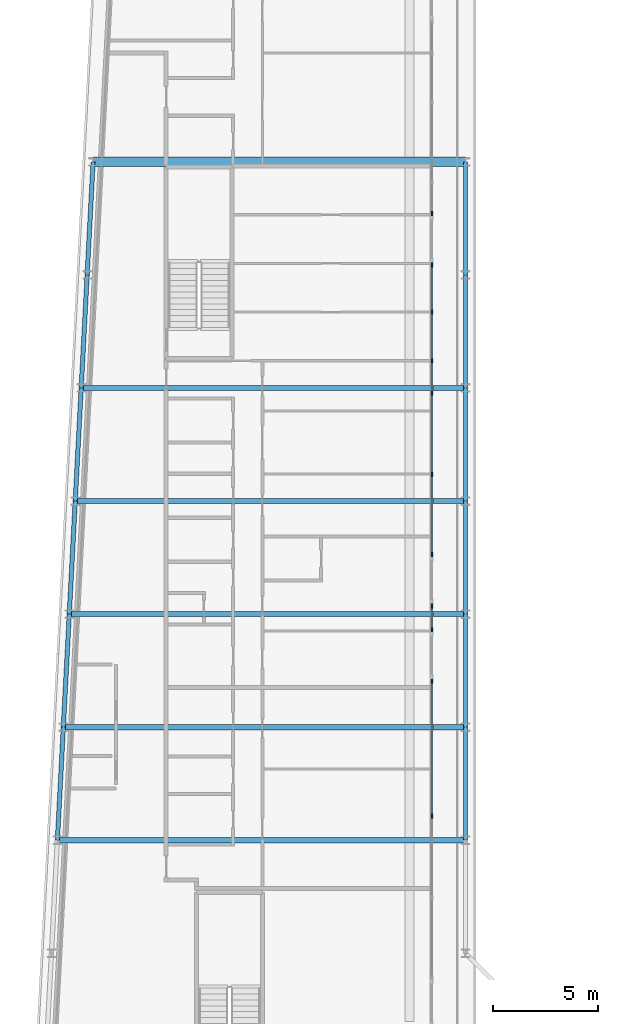
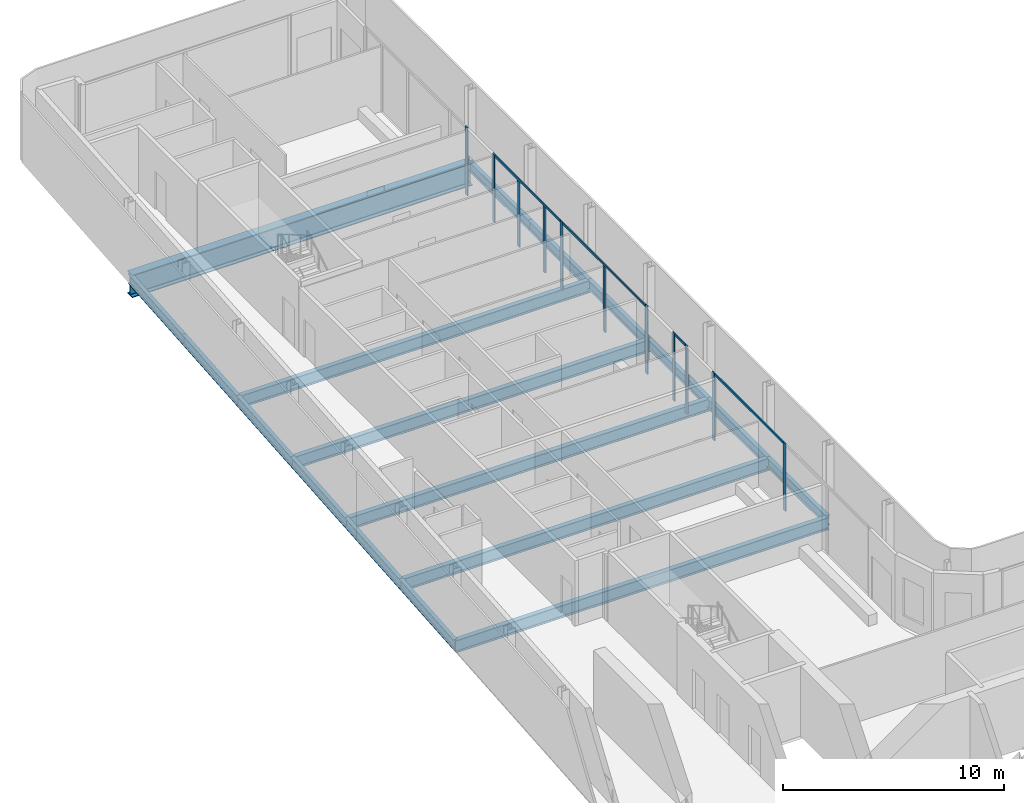
# One storey, part 7 of 22: 18 beams, 15 members, 5 elements without a shape of their own.
"""IFC4 building model written with IfcOpenShell, lengths in metres."""

from ifc_helpers import new_model, si_unit, direction, frame, origin, origin_2d, place, context, subcontext, project, spatial, rectangle, i_section, extrude, material, layer, layer_set, material_profile, profile_set, type_object, element, aggregate, save


model = new_model("IFC4")

# Units and contexts
model_context = context("Model", 3, precision=1e-05, world=origin(), true_north=direction((0.0, 1.0)))
body_context = subcontext(model_context, "Body", "Model", "MODEL_VIEW")
ifc_project = project(units=[si_unit("LENGTHUNIT", "METRE"), si_unit("AREAUNIT", "SQUARE_METRE"), si_unit("VOLUMEUNIT", "CUBIC_METRE"), si_unit("PLANEANGLEUNIT", "RADIAN"), si_unit("MASSUNIT", "GRAM", prefix="KILO")], contexts=[model_context])

# Site, building, storey
site_placement = place(None, origin())
site = spatial("IfcSite", under=ifc_project, at=site_placement, CompositionType="ELEMENT")
building_placement = place(site_placement, origin())
building = spatial("IfcBuilding", under=site, at=building_placement, Name="Kheshtan School and Residences Tower", CompositionType="ELEMENT")
storey_placement = place(building_placement, frame((0.0, 0.0, 274.699951171875)))
storey = spatial("IfcBuildingStorey", under=building, at=storey_placement, Name="L64", CompositionType="ELEMENT", Elevation=274.699951171875)

# Beams
ifc_material_1 = material(Name="Steel ASTM A992 Grade 50", Category="steel")
ifc_material_profile_1 = material_profile(ifc_material_1, i_section(OverallWidth=0.2529296875, OverallDepth=0.677978515625, WebThickness=0.01171875, FlangeThickness=0.016357421875, FilletRadius=0.0146484375, at=origin_2d()), Name="W690x125")
ifc_profile_set_1 = profile_set([ifc_material_profile_1], Name="Steel ASTM A992 Grade 50")
beam_type_1 = type_object("IfcBeamType", Name="Beam FB6 W690x125 ASTM A992 Grade 50", PredefinedType="BEAM", material=ifc_profile_set_1)
beam_1_placement = place(storey_placement, frame((47.60009765625, 78.0, -0.489013671875), z_axis=(-1.0, 0.0, 0.0), x_axis=(0.0, -1.0, 0.0)))
element("IfcBeam", 1, at=beam_1_placement, inside=storey, type_object=beam_type_1, Name="Floor beam C089", PredefinedType="BEAM", context=body_context, shape_type="SweptSolid", body=[
    extrude(i_section(OverallWidth=0.2529296875, OverallDepth=0.677978515625, WebThickness=0.01171875, FlangeThickness=0.016357421875, FilletRadius=0.0146484375, at=origin_2d()), origin(), (0.0, 0.0, 1.0), 18.357177734375),
])
beam_2_placement = place(storey_placement, frame((47.60009765625, 67.199951171875, -0.489013671875), z_axis=(-1.0, 0.0, 0.0), x_axis=(0.0, -1.0, 0.0)))
element("IfcBeam", 2, at=beam_2_placement, inside=storey, type_object=beam_type_1, Name="Floor beam C085", PredefinedType="BEAM", context=body_context, shape_type="SweptSolid", body=[
    extrude(i_section(OverallWidth=0.2529296875, OverallDepth=0.677978515625, WebThickness=0.01171875, FlangeThickness=0.016357421875, FilletRadius=0.0146484375, at=origin_2d()), origin(), (0.0, 0.0, 1.0), 18.926025390625),
])
beam_3_placement = place(storey_placement, frame((47.60009765625, 56.39990234375, -0.489013671875), z_axis=(-1.0, 0.0, 0.0), x_axis=(0.0, -1.0, 0.0)))
element("IfcBeam", 3, at=beam_3_placement, inside=storey, type_object=beam_type_1, Name="Floor beam C081", PredefinedType="BEAM", context=body_context, shape_type="SweptSolid", body=[
    extrude(i_section(OverallWidth=0.2529296875, OverallDepth=0.677978515625, WebThickness=0.01171875, FlangeThickness=0.016357421875, FilletRadius=0.0146484375, at=origin_2d()), origin(), (0.0, 0.0, 1.0), 19.494140625),
])
beam_4_placement = place(storey_placement, frame((28.389892578125, 61.800048828125, -0.489013671875), z_axis=(1.0, 0.0, 0.0), x_axis=(0.0, 1.0, 0.0)))
element("IfcBeam", 4, at=beam_4_placement, inside=storey, type_object=beam_type_1, Name="Floor beam C082", PredefinedType="BEAM", context=body_context, shape_type="SweptSolid", body=[
    extrude(i_section(OverallWidth=0.2529296875, OverallDepth=0.677978515625, WebThickness=0.01171875, FlangeThickness=0.016357421875, FilletRadius=0.0146484375, at=origin_2d()), origin(), (0.0, 0.0, 1.0), 19.210205078125),
])
beam_5_placement = place(storey_placement, frame((28.9580078125, 72.60009765625, -0.489013671875), z_axis=(1.0, 0.0, 0.0), x_axis=(0.0, 1.0, 0.0)))
element("IfcBeam", 5, at=beam_5_placement, inside=storey, type_object=beam_type_1, Name="Floor beam C086", PredefinedType="BEAM", context=body_context, shape_type="SweptSolid", body=[
    extrude(i_section(OverallWidth=0.2529296875, OverallDepth=0.677978515625, WebThickness=0.01171875, FlangeThickness=0.016357421875, FilletRadius=0.0146484375, at=origin_2d()), origin(), (0.0, 0.0, 1.0), 18.64208984375),
])
ifc_material_profile_2 = material_profile(ifc_material_1, i_section(OverallWidth=0.208984375, OverallDepth=0.532958984375, WebThickness=0.01025390625, FlangeThickness=0.015625, FilletRadius=0.013916015625, at=origin_2d()), Name="W530x92")
ifc_profile_set_2 = profile_set([ifc_material_profile_2], Name="Steel ASTM A992 Grade 50")
beam_type_2 = type_object("IfcBeamType", Name="Beam SP3 W530x92 ASTM A992 Grade 50", PredefinedType="BEAM", material=ifc_profile_set_2)
beam_6_placement = place(storey_placement, frame((47.60009765625, 88.800048828125, -0.41650390625), z_axis=(0.0, -1.0, 0.0), x_axis=(1.0, 0.0, 0.0)))
element("IfcBeam", 6, at=beam_6_placement, inside=storey, type_object=beam_type_2, Name="Spandrel beam C099-C091", PredefinedType="BEAM", context=body_context, shape_type="SweptSolid", body=[
    extrude(i_section(OverallWidth=0.208984375, OverallDepth=0.532958984375, WebThickness=0.01025390625, FlangeThickness=0.015625, FilletRadius=0.013916015625, at=origin_2d()), origin(), (0.0, 0.0, 1.0), 5.400146484375),
])
for number, where, z_axis, x_axis, name in (
    (7, (47.60009765625, 83.39990234375, -0.41650390625), (0.0, -1.0, 0.0), (1.0, 0.0, 0.0), "Spandrel beam C091-C089"),
    (8, (47.60009765625, 78.0, -0.41650390625), (0.0, -1.0, 0.0), (1.0, 0.0, 0.0), "Spandrel beam C089-C087"),
):
    element("IfcBeam", number, at=place(storey_placement, frame(where, z_axis=z_axis, x_axis=x_axis)), inside=storey, type_object=beam_type_2, Name=name, PredefinedType="BEAM", context=body_context, shape_type="SweptSolid", body=[
        extrude(i_section(OverallWidth=0.208984375, OverallDepth=0.532958984375, WebThickness=0.01025390625, FlangeThickness=0.015625, FilletRadius=0.013916015625, at=origin_2d()), origin(), (0.0, 0.0, 1.0), 5.39990234375),
    ])
beam_7_placement = place(storey_placement, frame((47.60009765625, 72.60009765625, -0.41650390625), z_axis=(0.0, -1.0, 0.0), x_axis=(1.0, 0.0, 0.0)))
element("IfcBeam", 9, at=beam_7_placement, inside=storey, type_object=beam_type_2, Name="Spandrel beam C087-C085", PredefinedType="BEAM", context=body_context, shape_type="SweptSolid", body=[
    extrude(i_section(OverallWidth=0.208984375, OverallDepth=0.532958984375, WebThickness=0.01025390625, FlangeThickness=0.015625, FilletRadius=0.013916015625, at=origin_2d()), origin(), (0.0, 0.0, 1.0), 5.400146484375),
])
beam_8_placement = place(storey_placement, frame((47.60009765625, 67.199951171875, -0.41650390625), z_axis=(0.0, -1.0, 0.0), x_axis=(1.0, 0.0, 0.0)))
element("IfcBeam", 10, at=beam_8_placement, inside=storey, type_object=beam_type_2, Name="Spandrel beam C085-C083", PredefinedType="BEAM", context=body_context, shape_type="SweptSolid", body=[
    extrude(i_section(OverallWidth=0.208984375, OverallDepth=0.532958984375, WebThickness=0.01025390625, FlangeThickness=0.015625, FilletRadius=0.013916015625, at=origin_2d()), origin(), (0.0, 0.0, 1.0), 5.39990234375),
])
beam_9_placement = place(storey_placement, frame((47.60009765625, 61.800048828125, -0.41650390625), z_axis=(0.0, -1.0, 0.0), x_axis=(1.0, 0.0, 0.0)))
element("IfcBeam", 11, at=beam_9_placement, inside=storey, type_object=beam_type_2, Name="Spandrel beam C083-C081", PredefinedType="BEAM", context=body_context, shape_type="SweptSolid", body=[
    extrude(i_section(OverallWidth=0.208984375, OverallDepth=0.532958984375, WebThickness=0.01025390625, FlangeThickness=0.015625, FilletRadius=0.013916015625, at=origin_2d()), origin(), (0.0, 0.0, 1.0), 5.400146484375),
])
beam_10_placement = place(storey_placement, frame((28.10595703125, 56.39990234375, -0.41650390625), z_axis=(0.05250670125, 0.998620571751, 0.0), x_axis=(-0.998620571751, 0.05250670125, 0.0)))
element("IfcBeam", 12, at=beam_10_placement, inside=storey, type_object=beam_type_2, Name="Spandrel beam C080-C082", PredefinedType="BEAM", context=body_context, shape_type="SweptSolid", body=[
    extrude(i_section(OverallWidth=0.208984375, OverallDepth=0.532958984375, WebThickness=0.01025390625, FlangeThickness=0.015625, FilletRadius=0.013916015625, at=origin_2d()), origin(), (0.0, 0.0, 1.0), 5.40771484375),
])
beam_11_placement = place(storey_placement, frame((28.389892578125, 61.800048828125, -0.41650390625), z_axis=(0.052554093665, 0.998618078766, 0.0), x_axis=(-0.998618078766, 0.052554093665, 0.0)))
element("IfcBeam", 13, at=beam_11_placement, inside=storey, type_object=beam_type_2, Name="Spandrel beam C082-C084", PredefinedType="BEAM", context=body_context, shape_type="SweptSolid", body=[
    extrude(i_section(OverallWidth=0.208984375, OverallDepth=0.532958984375, WebThickness=0.01025390625, FlangeThickness=0.015625, FilletRadius=0.013916015625, at=origin_2d()), origin(), (0.0, 0.0, 1.0), 5.407470703125),
])
beam_12_placement = place(storey_placement, frame((28.674072265625, 67.199951171875, -0.41650390625), z_axis=(0.05250670125, 0.998620571751, 0.0), x_axis=(-0.998620571751, 0.05250670125, 0.0)))
element("IfcBeam", 14, at=beam_12_placement, inside=storey, type_object=beam_type_2, Name="Spandrel beam C084-C086", PredefinedType="BEAM", context=body_context, shape_type="SweptSolid", body=[
    extrude(i_section(OverallWidth=0.208984375, OverallDepth=0.532958984375, WebThickness=0.01025390625, FlangeThickness=0.015625, FilletRadius=0.013916015625, at=origin_2d()), origin(), (0.0, 0.0, 1.0), 5.40771484375),
])
for number, where, z_axis, x_axis, name in (
    (15, (28.9580078125, 72.60009765625, -0.41650390625), (0.052689166816, 0.998610961136, 0.0), (-0.998610961136, 0.052689166816, 0.0), "Spandrel beam C086-C088"),
    (16, (29.242919921875, 78.0, -0.41650390625), (0.052554093665, 0.998618078766, 0.0), (-0.998618078766, 0.052554093665, 0.0), "Spandrel beam C088-C090"),
):
    element("IfcBeam", number, at=place(storey_placement, frame(where, z_axis=z_axis, x_axis=x_axis)), inside=storey, type_object=beam_type_2, Name=name, PredefinedType="BEAM", context=body_context, shape_type="SweptSolid", body=[
        extrude(i_section(OverallWidth=0.208984375, OverallDepth=0.532958984375, WebThickness=0.01025390625, FlangeThickness=0.015625, FilletRadius=0.013916015625, at=origin_2d()), origin(), (0.0, 0.0, 1.0), 5.407470703125),
    ])
beam_13_placement = place(storey_placement, frame((29.527099609375, 83.39990234375, -0.41650390625), z_axis=(0.05250670125, 0.998620571751, 0.0), x_axis=(-0.998620571751, 0.05250670125, 0.0)))
element("IfcBeam", 17, at=beam_13_placement, inside=storey, type_object=beam_type_2, Name="Spandrel beam C090-C098", PredefinedType="BEAM", context=body_context, shape_type="SweptSolid", body=[
    extrude(i_section(OverallWidth=0.208984375, OverallDepth=0.532958984375, WebThickness=0.01025390625, FlangeThickness=0.015625, FilletRadius=0.013916015625, at=origin_2d()), origin(), (0.0, 0.0, 1.0), 5.40771484375),
])

# Curtain wall, member
ifc_material_2 = material(Name="Clear low-e glass in thermally broken aluminium frame", Category="aluminium")
ifc_layer = layer(ifc_material_2, 0.199951171875)
ifc_layer_set = layer_set([ifc_layer], Name="Curtain wall CW-L")
curtain_wall_type = type_object("IfcCurtainWallType", Name="Curtain wall CW-L", PredefinedType="NOTDEFINED", material=ifc_layer_set)
curtain_wall_1_placement = place(storey_placement, origin())
curtain_wall_1 = element("IfcCurtainWall", 18, at=curtain_wall_1_placement, inside=storey, type_object=curtain_wall_type, Name="Curtain wall CWL8a", PredefinedType="NOTDEFINED")
ifc_material_3 = material(Name="Thermally broken aluminium, dark bronze anodised", Category="aluminium")
ifc_material_profile_3 = material_profile(ifc_material_3, rectangle(XDim=0.06005859375, YDim=0.199951171875, at=origin_2d()), Name="CW-L mullion 60x200")
ifc_profile_set_3 = profile_set([ifc_material_profile_3], Name="Thermally broken aluminium, dark bronze anodised")
member_type_1 = type_object("IfcMemberType", Name="CW-L mullion 60x200", PredefinedType="MULLION", material=ifc_profile_set_3)
member_1_placement = place(storey_placement, frame((46.0, 86.3359375, 0.0), z_axis=(0.0, 0.0, 1.0), x_axis=(1.0, 0.0, 0.0)))
member_1 = element("IfcMember", 19, at=member_1_placement, type_object=member_type_1, Name="CWL8a mullion 2", PredefinedType="MULLION", context=body_context, shape_type="SweptSolid", body=[
    extrude(rectangle(XDim=0.06005859375, YDim=0.199951171875, at=origin_2d()), origin(), (0.0, 0.0, 1.0), 3.75),
])
aggregate(curtain_wall_1, [member_1])

# Curtain wall, members
curtain_wall_2_placement = place(storey_placement, origin())
curtain_wall_2 = element("IfcCurtainWall", 20, at=curtain_wall_2_placement, inside=storey, type_object=curtain_wall_type, Name="Curtain wall CWL8b", PredefinedType="NOTDEFINED")
member_2_placement = place(storey_placement, frame((46.0, 83.8759765625, 0.0), z_axis=(0.0, 0.0, 1.0), x_axis=(1.0, 0.0, 0.0)))
member_2 = element("IfcMember", 21, at=member_2_placement, type_object=member_type_1, Name="CWL8b mullion 1", PredefinedType="MULLION", context=body_context, shape_type="SweptSolid", body=[
    extrude(rectangle(XDim=0.06005859375, YDim=0.199951171875, at=origin_2d()), origin(), (0.0, 0.0, 1.0), 3.75),
])
member_3_placement = place(storey_placement, frame((46.0, 81.625, 0.0), z_axis=(0.0, 0.0, 1.0), x_axis=(1.0, 0.0, 0.0)))
member_3 = element("IfcMember", 22, at=member_3_placement, type_object=member_type_1, Name="CWL8b mullion 2", PredefinedType="MULLION", context=body_context, shape_type="SweptSolid", body=[
    extrude(rectangle(XDim=0.06005859375, YDim=0.199951171875, at=origin_2d()), origin(), (0.0, 0.0, 1.0), 3.630126953125),
])
member_4_placement = place(storey_placement, frame((46.0, 79.300048828125, 0.0), z_axis=(0.0, 0.0, 1.0), x_axis=(1.0, 0.0, 0.0)))
member_4 = element("IfcMember", 23, at=member_4_placement, type_object=member_type_1, Name="CWL8b mullion 3", PredefinedType="MULLION", context=body_context, shape_type="SweptSolid", body=[
    extrude(rectangle(XDim=0.06005859375, YDim=0.199951171875, at=origin_2d()), origin(), (0.0, 0.0, 1.0), 3.630126953125),
])
member_5_placement = place(storey_placement, frame((46.0, 77.741943359375, 0.0), z_axis=(0.0, 0.0, 1.0), x_axis=(1.0, 0.0, 0.0)))
member_5 = element("IfcMember", 24, at=member_5_placement, type_object=member_type_1, Name="CWL8b mullion 4", PredefinedType="MULLION", context=body_context, shape_type="SweptSolid", body=[
    extrude(rectangle(XDim=0.06005859375, YDim=0.199951171875, at=origin_2d()), origin(), (0.0, 0.0, 1.0), 3.75),
])

curtain_wall_3_placement = place(storey_placement, origin())
curtain_wall_3 = element("IfcCurtainWall", 25, at=curtain_wall_3_placement, inside=storey, type_object=curtain_wall_type, Name="Curtain wall CWL8", PredefinedType="NOTDEFINED")
member_6_placement = place(storey_placement, frame((46.0, 73.864990234375, 0.0), z_axis=(0.0, 0.0, 1.0), x_axis=(1.0, 0.0, 0.0)))
member_6 = element("IfcMember", 26, at=member_6_placement, type_object=member_type_1, Name="CWL8 mullion 2", PredefinedType="MULLION", context=body_context, shape_type="SweptSolid", body=[
    extrude(rectangle(XDim=0.06005859375, YDim=0.199951171875, at=origin_2d()), origin(), (0.0, 0.0, 1.0), 3.630126953125),
])
member_7_placement = place(storey_placement, frame((46.0, 70.048095703125, 0.0), z_axis=(0.0, 0.0, 1.0), x_axis=(1.0, 0.0, 0.0)))
member_7 = element("IfcMember", 27, at=member_7_placement, type_object=member_type_1, Name="CWL8 mullion 3", PredefinedType="MULLION", context=body_context, shape_type="SweptSolid", body=[
    extrude(rectangle(XDim=0.06005859375, YDim=0.199951171875, at=origin_2d()), origin(), (0.0, 0.0, 1.0), 3.75),
])

curtain_wall_4_placement = place(storey_placement, origin())
curtain_wall_4 = element("IfcCurtainWall", 28, at=curtain_wall_4_placement, inside=storey, type_object=curtain_wall_type, Name="Curtain wall CWL8g", PredefinedType="NOTDEFINED")
member_8_placement = place(storey_placement, frame((46.0, 67.587890625, 0.0), z_axis=(0.0, 0.0, 1.0), x_axis=(1.0, 0.0, 0.0)))
member_8 = element("IfcMember", 29, at=member_8_placement, type_object=member_type_1, Name="CWL8g mullion 1", PredefinedType="MULLION", context=body_context, shape_type="SweptSolid", body=[
    extrude(rectangle(XDim=0.06005859375, YDim=0.199951171875, at=origin_2d()), origin(), (0.0, 0.0, 1.0), 3.75),
])
member_9_placement = place(storey_placement, frame((46.0, 66.447998046875, 0.0), z_axis=(0.0, 0.0, 1.0), x_axis=(1.0, 0.0, 0.0)))
member_9 = element("IfcMember", 30, at=member_9_placement, type_object=member_type_1, Name="CWL8g mullion 2", PredefinedType="MULLION", context=body_context, shape_type="SweptSolid", body=[
    extrude(rectangle(XDim=0.06005859375, YDim=0.199951171875, at=origin_2d()), origin(), (0.0, 0.0, 1.0), 3.75),
])

curtain_wall_5_placement = place(storey_placement, origin())
curtain_wall_5 = element("IfcCurtainWall", 31, at=curtain_wall_5_placement, inside=storey, type_object=curtain_wall_type, Name="Curtain wall CWL8h", PredefinedType="NOTDEFINED")
member_10_placement = place(storey_placement, frame((46.0, 63.988037109375, 0.0), z_axis=(0.0, 0.0, 1.0), x_axis=(1.0, 0.0, 0.0)))
member_10 = element("IfcMember", 32, at=member_10_placement, type_object=member_type_1, Name="CWL8h mullion 1", PredefinedType="MULLION", context=body_context, shape_type="SweptSolid", body=[
    extrude(rectangle(XDim=0.06005859375, YDim=0.199951171875, at=origin_2d()), origin(), (0.0, 0.0, 1.0), 3.75),
])
member_11_placement = place(storey_placement, frame((46.0, 57.553955078125, 0.0), z_axis=(0.0, 0.0, 1.0), x_axis=(1.0, 0.0, 0.0)))
member_11 = element("IfcMember", 33, at=member_11_placement, type_object=member_type_1, Name="CWL8h mullion 2", PredefinedType="MULLION", context=body_context, shape_type="SweptSolid", body=[
    extrude(rectangle(XDim=0.06005859375, YDim=0.199951171875, at=origin_2d()), origin(), (0.0, 0.0, 1.0), 3.75),
])

# Member
ifc_material_profile_4 = material_profile(ifc_material_3, rectangle(XDim=0.06005859375, YDim=0.1201171875, at=origin_2d()), Name="CW-L transom 60x120")
ifc_profile_set_4 = profile_set([ifc_material_profile_4], Name="Thermally broken aluminium, dark bronze anodised")
member_type_2 = type_object("IfcMemberType", Name="CW-L transom 60x120", PredefinedType="USERDEFINED", material=ifc_profile_set_4)
member_12_placement = place(storey_placement, frame((46.0, 83.845947265625, 3.68994140625), z_axis=(0.0, -1.0, 0.0), x_axis=(1.0, 0.0, 0.0)))
member_12 = element("IfcMember", 34, at=member_12_placement, type_object=member_type_2, Name="CWL8b transom 1", ObjectType="TRANSOM", PredefinedType="USERDEFINED", context=body_context, shape_type="SweptSolid", body=[
    extrude(rectangle(XDim=0.06005859375, YDim=0.1201171875, at=origin_2d()), origin(), (0.0, 0.0, 1.0), 6.073974609375),
])

aggregate(curtain_wall_2, [member_2, member_3, member_4, member_5, member_12])

member_13_placement = place(storey_placement, frame((46.0, 77.7119140625, 3.68994140625), z_axis=(0.0, -1.0, 0.0), x_axis=(1.0, 0.0, 0.0)))
member_13 = element("IfcMember", 35, at=member_13_placement, type_object=member_type_2, Name="CWL8 transom 1", ObjectType="TRANSOM", PredefinedType="USERDEFINED", context=body_context, shape_type="SweptSolid", body=[
    extrude(rectangle(XDim=0.06005859375, YDim=0.1201171875, at=origin_2d()), origin(), (0.0, 0.0, 1.0), 7.634033203125),
])

aggregate(curtain_wall_3, [member_6, member_7, member_13])

member_14_placement = place(storey_placement, frame((46.0, 67.55810546875, 3.68994140625), z_axis=(0.0, -1.0, 0.0), x_axis=(1.0, 0.0, 0.0)))
member_14 = element("IfcMember", 36, at=member_14_placement, type_object=member_type_2, Name="CWL8g transom 1", ObjectType="TRANSOM", PredefinedType="USERDEFINED", context=body_context, shape_type="SweptSolid", body=[
    extrude(rectangle(XDim=0.06005859375, YDim=0.1201171875, at=origin_2d()), origin(), (0.0, 0.0, 1.0), 1.080078125),
])

aggregate(curtain_wall_4, [member_8, member_9, member_14])

member_15_placement = place(storey_placement, frame((46.0, 63.9580078125, 3.68994140625), z_axis=(0.0, -1.0, 0.0), x_axis=(1.0, 0.0, 0.0)))
member_15 = element("IfcMember", 37, at=member_15_placement, type_object=member_type_2, Name="CWL8h transom 1", ObjectType="TRANSOM", PredefinedType="USERDEFINED", context=body_context, shape_type="SweptSolid", body=[
    extrude(rectangle(XDim=0.06005859375, YDim=0.1201171875, at=origin_2d()), origin(), (0.0, 0.0, 1.0), 6.3740234375),
])

aggregate(curtain_wall_5, [member_10, member_11, member_15])

# Beam
ifc_material_profile_5 = material_profile(ifc_material_1, i_section(OverallWidth=0.449951171875, OverallDepth=1.25, WebThickness=0.02490234375, FlangeThickness=0.044921875, FilletRadius=0.03759765625, at=origin_2d()), Name="WWF1250x546")
ifc_profile_set_5 = profile_set([ifc_material_profile_5], Name="Steel ASTM A992 Grade 50")
beam_type_3 = type_object("IfcBeamType", Name="Transfer girder TG4 WWF1250x546 ASTM A992 Grade 50", PredefinedType="BEAM", material=ifc_profile_set_5)
beam_14_placement = place(storey_placement, frame((29.81103515625, 88.800048828125, -0.77490234375), z_axis=(1.0, 0.0, 0.0), x_axis=(0.0, 1.0, 0.0)))
element("IfcBeam", 38, at=beam_14_placement, inside=storey, type_object=beam_type_3, Name="Transfer girder C098-C099", PredefinedType="BEAM", context=body_context, shape_type="SweptSolid", body=[
    extrude(i_section(OverallWidth=0.449951171875, OverallDepth=1.25, WebThickness=0.02490234375, FlangeThickness=0.044921875, FilletRadius=0.03759765625, at=origin_2d()), origin(), (0.0, 0.0, 1.0), 17.7890625),
])

save(model, "model.ifc")
